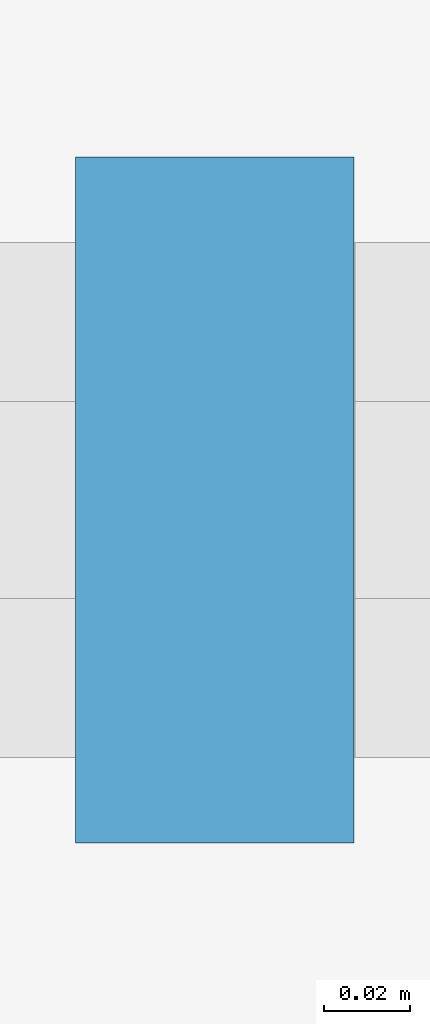
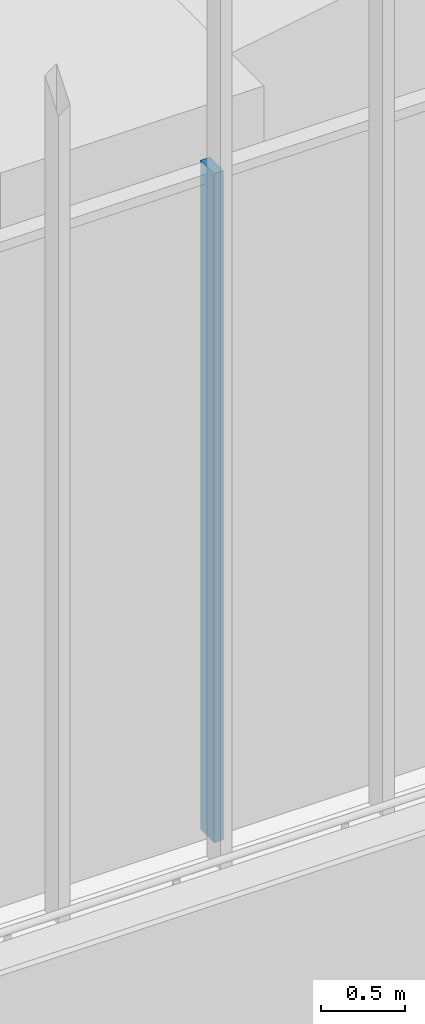
# One storey, part 70 of 228: 1 member, 1 element without a shape of its own.
"""IFC4 building model written with IfcOpenShell, lengths in metres."""

from ifc_helpers import new_model, si_unit, direction, frame, origin, origin_2d, place, context, subcontext, project, spatial, rectangle, extrude, material, material_profile, profile_set, type_object, element, aggregate, save


model = new_model("IFC4")

# Units and contexts
model_context = context("Model", 3, precision=1e-05, world=origin(), true_north=direction((0.0, 1.0)))
body_context = subcontext(model_context, "Body", "Model", "MODEL_VIEW")
ifc_project = project(units=[si_unit("LENGTHUNIT", "METRE"), si_unit("AREAUNIT", "SQUARE_METRE"), si_unit("VOLUMEUNIT", "CUBIC_METRE"), si_unit("PLANEANGLEUNIT", "RADIAN"), si_unit("MASSUNIT", "GRAM", prefix="KILO")], contexts=[model_context])

# Site, building, storey
site_placement = place(None, origin())
site = spatial("IfcSite", under=ifc_project, at=site_placement, CompositionType="ELEMENT")
building_placement = place(site_placement, origin())
building = spatial("IfcBuilding", under=site, at=building_placement, Name="Sandreach Pilgrim Tower", CompositionType="ELEMENT")
storey_placement = place(building_placement, frame((0.0, 0.0, 178.199951171875)))
storey = spatial("IfcBuildingStorey", under=building, at=storey_placement, Name="L44", CompositionType="ELEMENT", Elevation=178.199951171875)

# Curtain wall, member
ifc_material_1 = material(Name="Aluminium framed curtain wall", Category="aluminium")
curtain_wall_type = type_object("IfcCurtainWallType", Name="Upper hotel tower curtain wall", PredefinedType="NOTDEFINED", material=ifc_material_1)
curtain_wall_placement = place(storey_placement, origin())
curtain_wall = element("IfcCurtainWall", 1, at=curtain_wall_placement, inside=storey, type_object=curtain_wall_type, Name="CW-3 L44 SA", PredefinedType="NOTDEFINED")
ifc_material_2 = material(Name="Aluminium extrusion", Category="aluminium")
ifc_material_profile = material_profile(ifc_material_2, rectangle(XDim=0.06494140625, YDim=0.159912109375, at=origin_2d()), Name="CW-3M 65X160")
ifc_profile_set = profile_set([ifc_material_profile], Name="Aluminium extrusion")
member_type = type_object("IfcMemberType", Name="CW-3 mullion", PredefinedType="MULLION", material=ifc_profile_set)
member_placement = place(storey_placement, frame((4.048583984375, -26.525146484375, 0.0), z_axis=(0.0, 0.0, 1.0), x_axis=(-1.0, 0.0, 0.0)))
member = element("IfcMember", 2, at=member_placement, type_object=member_type, Name="CW-3 mullion 2", PredefinedType="MULLION", context=body_context, shape_type="SweptSolid", body=[
    extrude(rectangle(XDim=0.06494140625, YDim=0.159912109375, at=origin_2d()), origin(), (0.0, 0.0, 1.0), 4.840087890625),
])
aggregate(curtain_wall, [member])

save(model, "model.ifc")
